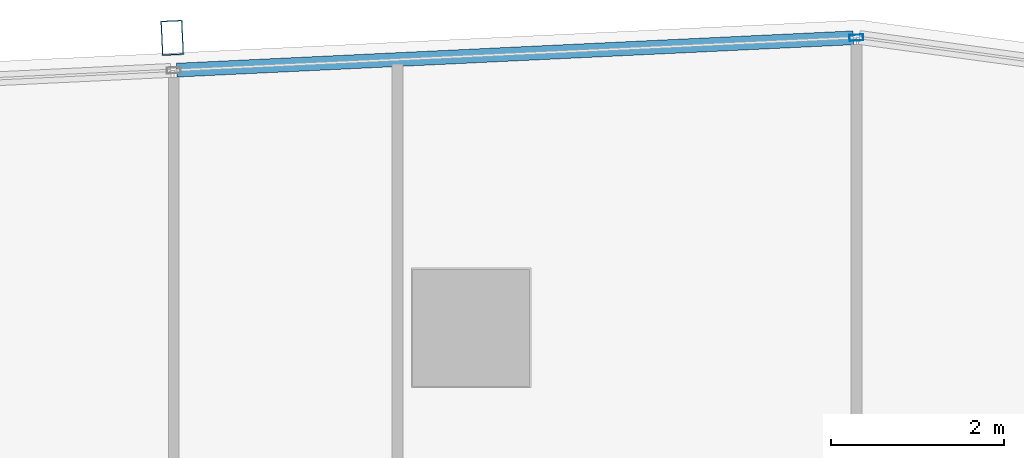
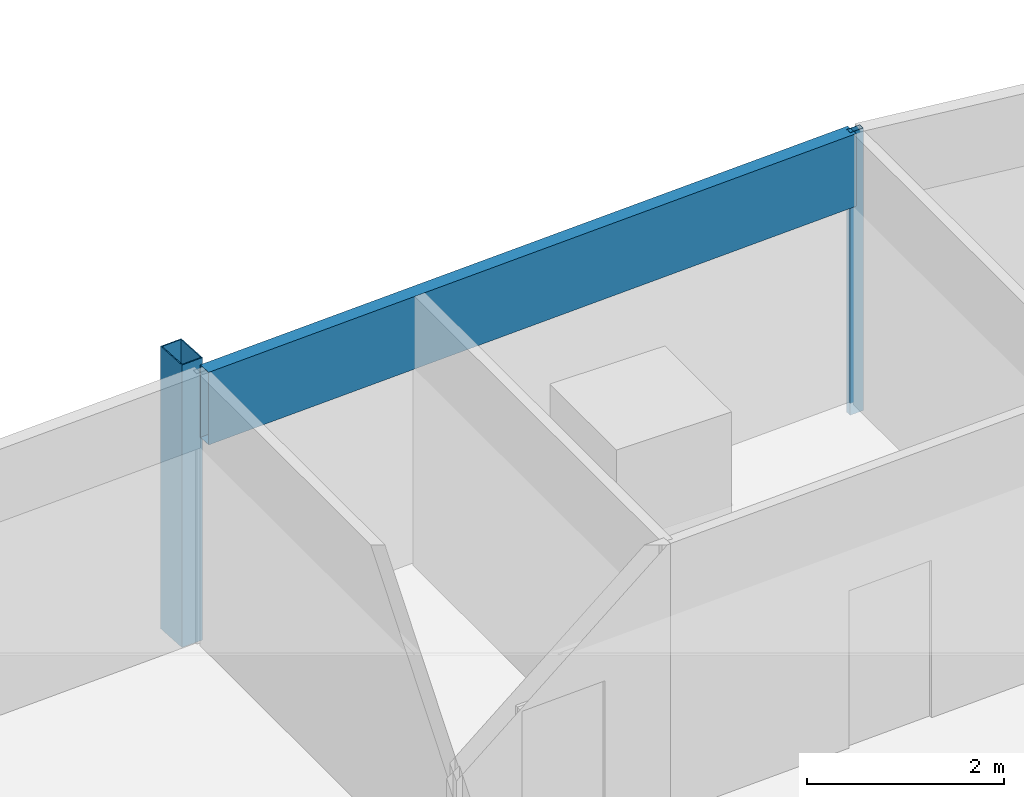
# One storey, part 25 of 38: 3 members, 1 element without a shape of its own.
"""IFC4 building model written with IfcOpenShell, lengths in metres."""

from ifc_helpers import new_model, si_unit, direction, frame, origin, origin_2d, place, context, subcontext, project, spatial, hollow_rectangle, extrude, material, material_profile, profile_set, type_object, element, aggregate, save


model = new_model("IFC4")

# Units and contexts
model_context = context("Model", 3, precision=1e-05, world=origin(), true_north=direction((0.0, 1.0)))
body_context = subcontext(model_context, "Body", "Model", "MODEL_VIEW")
ifc_project = project(units=[si_unit("LENGTHUNIT", "METRE"), si_unit("AREAUNIT", "SQUARE_METRE"), si_unit("VOLUMEUNIT", "CUBIC_METRE"), si_unit("PLANEANGLEUNIT", "RADIAN"), si_unit("MASSUNIT", "GRAM", prefix="KILO")], contexts=[model_context])

# Site, building, storey
site_placement = place(None, origin())
site = spatial("IfcSite", under=ifc_project, at=site_placement, CompositionType="ELEMENT")
building_placement = place(site_placement, origin())
building = spatial("IfcBuilding", under=site, at=building_placement, Name="Rekha Terrace Tower", CompositionType="ELEMENT")
storey_placement = place(building_placement, frame((0.0, 0.0, 195.199951171875)))
storey = spatial("IfcBuildingStorey", under=building, at=storey_placement, Name="L49", CompositionType="ELEMENT", Elevation=195.199951171875)

# Curtain wall, members
ifc_material_1 = material(Name="Aluminium framing", Category="aluminium")
curtain_wall_type = type_object("IfcCurtainWallType", Name="CW3 north unitised glazing", PredefinedType="USERDEFINED", material=ifc_material_1)
curtain_wall_placement = place(storey_placement, origin())
curtain_wall = element("IfcCurtainWall", 1, at=curtain_wall_placement, inside=storey, type_object=curtain_wall_type, Name="CW3 unitised curtain wall", ObjectType="UNITISED CURTAIN WALL", PredefinedType="USERDEFINED")
ifc_material_2 = material(Name="Steel S355 with fluorocarbon finish", Category="steel")
ifc_material_profile_1 = material_profile(ifc_material_2, hollow_rectangle(XDim=0.25, YDim=0.39990234375, WallThickness=0.012451171875, at=origin_2d()), Name="RHS400x250x12.5")
ifc_profile_set_1 = profile_set([ifc_material_profile_1], Name="Steel S355 with fluorocarbon finish")
member_type_1 = type_object("IfcMemberType", Name="BL1 facade blade RHS 400 x 250", PredefinedType="USERDEFINED", material=ifc_profile_set_1)
member_1_placement = place(storey_placement, frame((38.55224609375, 62.145751953125, 0.0), z_axis=(0.0, 0.0, 1.0), x_axis=(-0.998858913274, -0.04775846913, 0.0)))
member_1 = element("IfcMember", 2, at=member_1_placement, type_object=member_type_1, Name="Facade blade", ObjectType="FACADE BLADE", PredefinedType="USERDEFINED", context=body_context, shape_type="SweptSolid", body=[
    extrude(hollow_rectangle(XDim=0.25, YDim=0.39990234375, WallThickness=0.012451171875, at=origin_2d()), origin(), (0.0, 0.0, 1.0), 3.5),
])
ifc_material_3 = material(Name="Aluminium mullion section", Category="aluminium")
ifc_material_profile_2 = material_profile(ifc_material_3, hollow_rectangle(XDim=0.070068359375, YDim=0.159912109375, WallThickness=0.00390625, at=origin_2d()), Name="AL RHS 70x160")
ifc_profile_set_2 = profile_set([ifc_material_profile_2], Name="Aluminium mullion section")
member_type_2 = type_object("IfcMemberType", Name="CW3 mullion RHS 70 x 160", PredefinedType="MULLION", material=ifc_profile_set_2)
member_2_placement = place(storey_placement, frame((46.4443359375, 62.147705078125, 0.0), z_axis=(0.0, 0.0, 1.0), x_axis=(0.047758616983, -0.998858906204, 0.0)))
member_2 = element("IfcMember", 3, at=member_2_placement, type_object=member_type_2, Name="CW3 mullion 1", PredefinedType="MULLION", context=body_context, shape_type="SweptSolid", body=[
    extrude(hollow_rectangle(XDim=0.070068359375, YDim=0.159912109375, WallThickness=0.00390625, at=origin_2d()), origin(), (0.0, 0.0, 1.0), 3.5),
])
ifc_material_4 = material(Name="Insulated aluminium spandrel box", Category="aluminium")
ifc_material_profile_3 = material_profile(ifc_material_4, hollow_rectangle(XDim=0.159912109375, YDim=0.89990234375, WallThickness=0.0029296875, at=origin_2d()), Name="AL SPANDREL BOX 160x900")
ifc_profile_set_3 = profile_set([ifc_material_profile_3], Name="Insulated aluminium spandrel box")
member_type_3 = type_object("IfcMemberType", Name="CW3 spandrel transom 160 x 900", PredefinedType="USERDEFINED", material=ifc_profile_set_3)
member_3_placement = place(storey_placement, frame((46.4091796875, 62.14599609375, 3.050048828125), z_axis=(-0.998859425172, -0.047747761666, 0.0), x_axis=(0.047747761666, -0.998859425172, 0.0)))
member_3 = element("IfcMember", 4, at=member_3_placement, type_object=member_type_3, Name="CW3 spandrel transom 1", ObjectType="TRANSOM", PredefinedType="USERDEFINED", context=body_context, shape_type="SweptSolid", body=[
    extrude(hollow_rectangle(XDim=0.159912109375, YDim=0.89990234375, WallThickness=0.0029296875, at=origin_2d()), origin(), (0.0, 0.0, 1.0), 7.81298828125),
])
aggregate(curtain_wall, [member_2, member_3, member_1])

save(model, "model.ifc")
